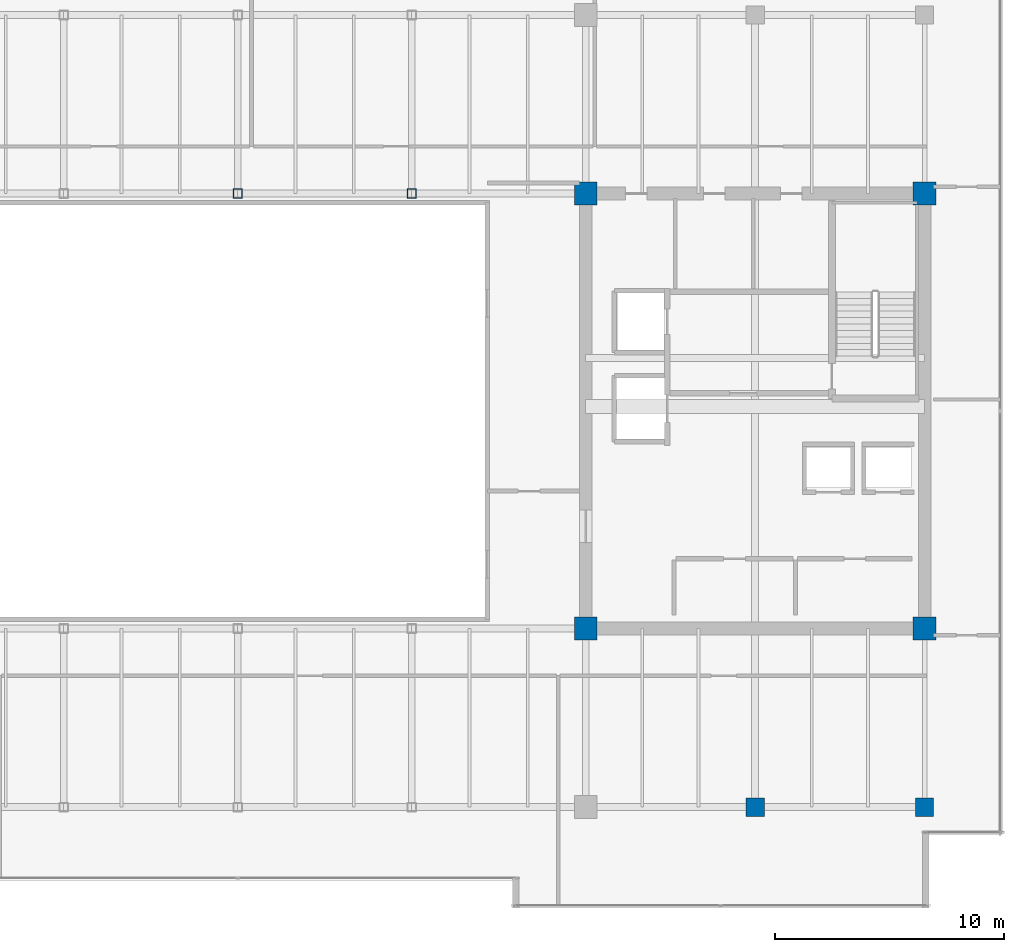
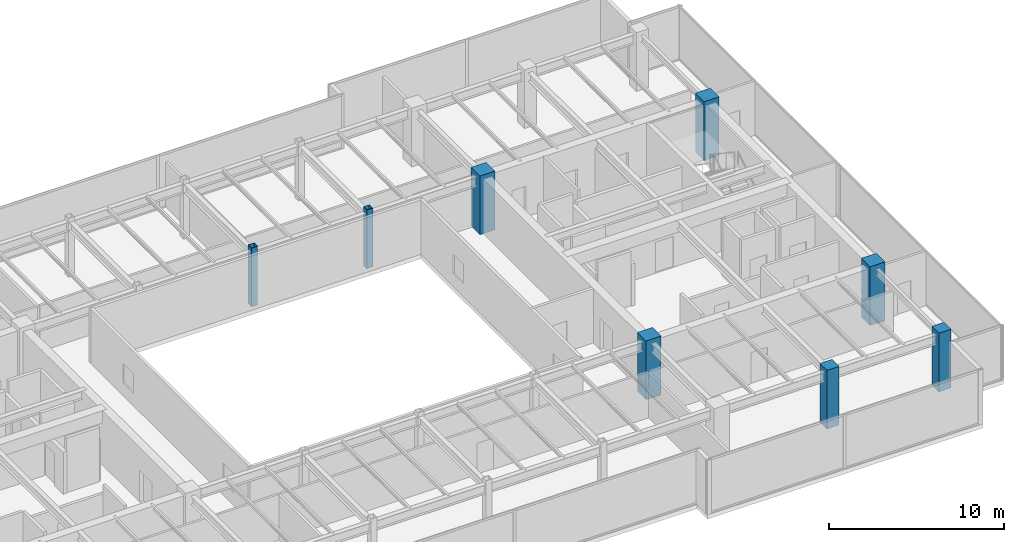
# One storey, part 2 of 33: 8 columns.
"""IFC4 building model written with IfcOpenShell, lengths in metres."""

import ifcopenshell
import ifcopenshell.guid

model = None  # the IFC model being written
_history = None  # IfcOwnerHistory: only IFC2X3 demands one
_inside = {}  # id of a spatial element -> (the spatial element, [elements in it])
_under = {}  # id of a project, library or spatial element -> (it, [spatial elements below it])
_declared = {}  # id of a project -> (the project, [libraries it declares])
_typed = {}  # id of a type object -> (the type object, [elements of that type])
_made_of = {}  # id of a material, layer set ... -> (it, [elements and type objects made of it])


def new_model(schema):
    """Start an empty IFC model of exactly this schema.

    Asked for "IFC4X3", IfcOpenShell would pick the latest addendum, in which some entities
    have other attributes; the version numbers below select the first issue.
    IFC2X3 requires an IfcOwnerHistory on every rooted entity: one is made here for all.
    """
    global model, _history
    if schema == "IFC4X3":
        model = ifcopenshell.file(schema_version=(4, 3, 0, 0))
    else:
        model = ifcopenshell.file(schema=schema)
    _inside.clear()
    _under.clear()
    _declared.clear()
    _typed.clear()
    _made_of.clear()
    _history = None
    if model.schema == "IFC2X3":
        org = make("IfcOrganization", Name="unknown")
        user = make(
            "IfcPersonAndOrganization",
            ThePerson=make("IfcPerson", FamilyName="unknown"),
            TheOrganization=org,
        )
        app = make(
            "IfcApplication",
            ApplicationDeveloper=org,
            Version="unknown",
            ApplicationFullName="unknown",
            ApplicationIdentifier="unknown",
        )
        _history = make(
            "IfcOwnerHistory",
            OwningUser=user,
            OwningApplication=app,
            ChangeAction="ADDED",
            CreationDate=0,
        )
    return model


def make(cls, **values):
    """One entity of the class cls with the attributes given. An attribute that is None is left unset."""
    return model.create_entity(
        cls, **{name: value for name, value in values.items() if value is not None}
    )


def rooted(cls, **values):
    """An entity with a GlobalId (a new one), such as an element, a storey or a relation."""
    return make(cls, GlobalId=ifcopenshell.guid.new(), OwnerHistory=_history, **values)


def si_unit(unit_type, name, prefix=None):
    """IfcSIUnit, for example si_unit("LENGTHUNIT", "METRE", prefix="MILLI")."""
    return make("IfcSIUnit", UnitType=unit_type, Prefix=prefix, Name=name)


def assignment(units):
    """IfcUnitAssignment: the units of a project."""
    return None if units is None else make("IfcUnitAssignment", Units=units)


def point(xyz):
    """IfcCartesianPoint."""
    return None if xyz is None else make("IfcCartesianPoint", Coordinates=xyz)


def direction(xyz):
    """IfcDirection."""
    return None if xyz is None else make("IfcDirection", DirectionRatios=xyz)


def frame(location, z_axis=None, x_axis=None):
    """IfcAxis2Placement3D, a coordinate frame: its origin and axes. An axis left out is left unset."""
    return make(
        "IfcAxis2Placement3D",
        Location=point(location),
        Axis=direction(z_axis),
        RefDirection=direction(x_axis),
    )


def frame_2d(location, x_axis=None):
    """IfcAxis2Placement2D, a coordinate frame in the plane: its origin and x axis."""
    return make(
        "IfcAxis2Placement2D", Location=point(location), RefDirection=direction(x_axis)
    )


def origin():
    """The frame at (0, 0, 0) with its axes left unset."""
    return frame((0.0, 0.0, 0.0))


def origin_2d():
    """The frame at (0, 0) in the plane with its x axis left unset."""
    return frame_2d((0.0, 0.0))


def place(relative_to, where):
    """IfcLocalPlacement: puts the frame where relative to a parent placement (None: the world)."""
    return make(
        "IfcLocalPlacement", PlacementRelTo=relative_to, RelativePlacement=where
    )


def context(
    kind, dimensions, precision=None, world=None, true_north=None, identifier=None
):
    """IfcGeometricRepresentationContext, for example the 3D "Model" context."""
    return make(
        "IfcGeometricRepresentationContext",
        ContextIdentifier=identifier,
        ContextType=kind,
        CoordinateSpaceDimension=dimensions,
        Precision=precision,
        WorldCoordinateSystem=world,
        TrueNorth=true_north,
    )


def subcontext(parent, identifier, kind, view, scale=None):
    """IfcGeometricRepresentationSubContext, for example "Body" below "Model"."""
    return make(
        "IfcGeometricRepresentationSubContext",
        ContextIdentifier=identifier,
        ContextType=kind,
        ParentContext=parent,
        TargetScale=scale,
        TargetView=view,
    )


def project(units=None, contexts=None):
    """IfcProject with its units and contexts."""
    return rooted(
        "IfcProject",
        Name="project",
        RepresentationContexts=contexts,
        UnitsInContext=assignment(units),
    )


def spatial(cls, under=None, at=None, **own):
    """A site, building, storey or space (cls), placed at a placement, below another one or the project."""
    s = rooted(cls, ObjectPlacement=at, **own)
    if under is not None:
        _under.setdefault(under.id(), (under, []))[1].append(s)
    return s


def profile(cls, at=None, kind="AREA", **sizes):
    """A parametric profile (cls). Its sizes go by their IFC names, for example OverallWidth=200.0."""
    return make(cls, ProfileType=kind, Position=at, **sizes)


def rectangle(**sizes):
    """IfcRectangleProfileDef."""
    return profile("IfcRectangleProfileDef", **sizes)


def hollow_rectangle(**sizes):
    """IfcRectangleHollowProfileDef."""
    return profile("IfcRectangleHollowProfileDef", **sizes)


def extrude(swept, where, along, depth):
    """IfcExtrudedAreaSolid: the profile swept, set in the frame where, extruded along a direction by depth."""
    return make(
        "IfcExtrudedAreaSolid",
        SweptArea=swept,
        Position=where,
        ExtrudedDirection=direction(along),
        Depth=depth,
    )


def shape(context_of_items, identifier, shape_type, items):
    """IfcShapeRepresentation: the items that make up one representation, for example the "Body"."""
    return make(
        "IfcShapeRepresentation",
        ContextOfItems=context_of_items,
        RepresentationIdentifier=identifier,
        RepresentationType=shape_type,
        Items=items,
    )


def source(mapping_origin, context_of_items, identifier, shape_type, items):
    """IfcRepresentationMap: a shape defined once, which mapped items show again and again."""
    return make(
        "IfcRepresentationMap",
        MappingOrigin=mapping_origin,
        MappedRepresentation=shape(context_of_items, identifier, shape_type, items),
    )


def transform(
    local_origin,
    x_axis=None,
    y_axis=None,
    z_axis=None,
    scale=None,
    scale2=None,
    scale3=None,
    uniform=True,
):
    """IfcCartesianTransformationOperator3D, or its non-uniform kind. x_axis, y_axis, z_axis: its Axis1, 2, 3."""
    if uniform:
        return make(
            "IfcCartesianTransformationOperator3D",
            Axis1=direction(x_axis),
            Axis2=direction(y_axis),
            LocalOrigin=point(local_origin),
            Scale=scale,
            Axis3=direction(z_axis),
        )
    return make(
        "IfcCartesianTransformationOperator3DnonUniform",
        Axis1=direction(x_axis),
        Axis2=direction(y_axis),
        LocalOrigin=point(local_origin),
        Scale=scale,
        Axis3=direction(z_axis),
        Scale2=scale2,
        Scale3=scale3,
    )


def mapped(mapping_source, mapping_target):
    """IfcMappedItem: shows the shape of a source again, moved by a transform."""
    return make(
        "IfcMappedItem", MappingSource=mapping_source, MappingTarget=mapping_target
    )


def material(Name=None, Category=None):
    """IfcMaterial."""
    return make("IfcMaterial", Name=Name, Category=Category)


def material_profile(
    of_material, cross_section, Name=None, Category=None, Priority=None
):
    """IfcMaterialProfile: a cross section and its material."""
    return make(
        "IfcMaterialProfile",
        Name=Name,
        Material=of_material,
        Profile=cross_section,
        Priority=Priority,
        Category=Category,
    )


def profile_set(profiles, Name=None, composite=None):
    """IfcMaterialProfileSet."""
    return make(
        "IfcMaterialProfileSet",
        Name=Name,
        MaterialProfiles=profiles,
        CompositeProfile=composite,
    )


def made_of(thing, what):
    """Note that an element or type object is made of a material, layer set ...; save() writes the relation."""
    if what is not None:
        _made_of.setdefault(what.id(), (what, []))[1].append(thing)
    return thing


def type_object(cls, material=None, **own):
    """A type object (cls), such as IfcWallType, which elements share."""
    return made_of(rooted(cls, **own), material)


def type_shapes(of_type, sources):
    """Give a type object the sources (RepresentationMaps) that its elements show as mapped items."""
    of_type.RepresentationMaps = sources


def element(
    cls,
    number,
    at=None,
    inside=None,
    cuts=None,
    type_object=None,
    material=None,
    context=None,
    identifier="Body",
    shape_type=None,
    held_by="IfcProductDefinitionShape",
    body=None,
    shapes=None,
    **own,
):
    """One element of the class cls, such as IfcWall. Its Tag is "e" and its number.

    at: its placement. inside: the storey or other place that contains it. cuts: it is an
    opening in that element (IfcRelVoidsElement). A single representation is given by context,
    identifier, shape_type and body (its items); several are given by shapes. held_by: the class
    of the entity that holds the representations. save() writes the other relations.
    """
    e = rooted(cls, Tag="e%d" % number, ObjectPlacement=at, **own)
    if body is not None:
        shapes = [shape(context, identifier, shape_type, body)]
    if shapes is not None:
        e.Representation = make(held_by, Representations=shapes)
    if inside is not None:
        _inside.setdefault(inside.id(), (inside, []))[1].append(e)
    if cuts is not None:
        rooted(
            "IfcRelVoidsElement", RelatingBuildingElement=cuts, RelatedOpeningElement=e
        )
    if type_object is not None:
        _typed.setdefault(type_object.id(), (type_object, []))[1].append(e)
    return made_of(e, material)


def aggregate(whole, parts):
    """IfcRelAggregates: a whole, such as a stair, and the parts it consists of."""
    return rooted("IfcRelAggregates", RelatingObject=whole, RelatedObjects=parts)


def save(model, path):
    """Write the relations noted so far, then the file.

    IfcRelAggregates (storeys below a building ...), IfcRelContainedInSpatialStructure (elements
    in a storey), IfcRelDefinesByType, IfcRelAssociatesMaterial and IfcRelDeclares: one each for
    every whole, place, type object, material and project.
    """
    for whole, parts in _under.values():
        aggregate(whole, parts)
    for where, things in _inside.values():
        rooted(
            "IfcRelContainedInSpatialStructure",
            RelatedElements=things,
            RelatingStructure=where,
        )
    for kind, things in _typed.values():
        rooted("IfcRelDefinesByType", RelatedObjects=things, RelatingType=kind)
    for what, things in _made_of.values():
        rooted("IfcRelAssociatesMaterial", RelatedObjects=things, RelatingMaterial=what)
    for by, libraries in _declared.values():
        rooted("IfcRelDeclares", RelatingContext=by, RelatedDefinitions=libraries)
    model.write(path)


model = new_model("IFC4")

# Units and contexts
model_context = context("Model", 3, precision=1e-05, world=origin(), true_north=direction((0.0, 1.0)))
body_context = subcontext(model_context, "Body", "Model", "MODEL_VIEW")
ifc_project = project(units=[si_unit("LENGTHUNIT", "METRE"), si_unit("AREAUNIT", "SQUARE_METRE"), si_unit("VOLUMEUNIT", "CUBIC_METRE"), si_unit("PLANEANGLEUNIT", "RADIAN"), si_unit("MASSUNIT", "GRAM", prefix="KILO")], contexts=[model_context])

# Site, building, storey
site_placement = place(None, origin())
site = spatial("IfcSite", under=ifc_project, at=site_placement, CompositionType="ELEMENT")
building_placement = place(site_placement, origin())
building = spatial("IfcBuilding", under=site, at=building_placement, Name="Haelvirn Gate Laboratories", CompositionType="ELEMENT")
storey_placement = place(building_placement, frame((0.0, 0.0, 271.10009765625)))
storey = spatial("IfcBuildingStorey", under=building, at=storey_placement, Name="L65", CompositionType="ELEMENT", Elevation=271.10009765625)

# Columns
ifc_material_1 = material(Name="Concrete C60/75", Category="concrete")
ifc_material_profile_1 = material_profile(ifc_material_1, rectangle(XDim=1.0, YDim=1.0, at=origin_2d()), Name="RC-1000x1000")
ifc_profile_set_1 = profile_set([ifc_material_profile_1], Name="Concrete C60/75")
column_type_1 = type_object("IfcColumnType", Name="COL-RC-1000", PredefinedType="COLUMN", material=ifc_profile_set_1)
shared_shape_1 = source(origin(), body_context, "Body", "SweptSolid", [
    extrude(rectangle(XDim=1.0, YDim=1.0, at=origin_2d()), origin(), (0.0, 0.0, 1.0), 4.099853515625),
])
type_shapes(column_type_1, [shared_shape_1])
for number, where, z_axis, x_axis, name in (
    (1, (52.60009765625, 14.800048828125, 0.0), (0.0, 0.0, 1.0), (1.0, 0.0, 0.0), "L65 Column 8C"),
    (2, (67.39990234375, 14.800048828125, 0.0), (0.0, 0.0, 1.0), (1.0, 0.0, 0.0), "L65 Column 10C"),
    (3, (52.60009765625, 33.800048828125, 0.0), (0.0, 0.0, 1.0), (1.0, 0.0, 0.0), "L65 Column 8F"),
    (4, (67.39990234375, 33.800048828125, 0.0), (0.0, 0.0, 1.0), (1.0, 0.0, 0.0), "L65 Column 10F"),
):
    element("IfcColumn", number, at=place(storey_placement, frame(where, z_axis=z_axis, x_axis=x_axis)), inside=storey, type_object=column_type_1, Name=name, PredefinedType="COLUMN", context=body_context, shape_type="MappedRepresentation", body=[
        mapped(shared_shape_1, transform((0.0, 0.0, 0.0), scale=1.0)),
    ])
ifc_material_2 = material(Name="Concrete C50/60", Category="concrete")
ifc_material_profile_2 = material_profile(ifc_material_2, rectangle(XDim=0.800048828125, YDim=0.800048828125, at=origin_2d()), Name="RC-800x800")
ifc_profile_set_2 = profile_set([ifc_material_profile_2], Name="Concrete C50/60")
column_type_2 = type_object("IfcColumnType", Name="COL-RC-800", PredefinedType="COLUMN", material=ifc_profile_set_2)
shared_shape_2 = source(origin(), body_context, "Body", "SweptSolid", [
    extrude(rectangle(XDim=0.800048828125, YDim=0.800048828125, at=origin_2d()), origin(), (0.0, 0.0, 1.0), 4.099853515625),
])
type_shapes(column_type_2, [shared_shape_2])
for number, where, z_axis, x_axis, name in (
    (5, (60.0, 7.0, 0.0), (0.0, 0.0, 1.0), (1.0, 0.0, 0.0), "L65 Column 9B"),
    (6, (67.39990234375, 7.0, 0.0), (0.0, 0.0, 1.0), (1.0, 0.0, 0.0), "L65 Column 10B"),
):
    element("IfcColumn", number, at=place(storey_placement, frame(where, z_axis=z_axis, x_axis=x_axis)), inside=storey, type_object=column_type_2, Name=name, PredefinedType="COLUMN", context=body_context, shape_type="MappedRepresentation", body=[
        mapped(shared_shape_2, transform((0.0, 0.0, 0.0), scale=1.0)),
    ])
ifc_material_3 = material(Name="Steel SM355", Category="steel")
ifc_material_profile_3 = material_profile(ifc_material_3, hollow_rectangle(XDim=0.39990234375, YDim=0.39990234375, WallThickness=0.01904296875, at=origin_2d()), Name="BOX-400x400x19")
ifc_profile_set_3 = profile_set([ifc_material_profile_3], Name="Steel SM355")
column_type_3 = type_object("IfcColumnType", Name="COL-BOX-400", PredefinedType="COLUMN", material=ifc_profile_set_3)
shared_shape_3 = source(origin(), body_context, "Body", "SweptSolid", [
    extrude(hollow_rectangle(XDim=0.39990234375, YDim=0.39990234375, WallThickness=0.01904296875, at=origin_2d()), origin(), (0.0, 0.0, 1.0), 4.099853515625),
])
type_shapes(column_type_3, [shared_shape_3])
for number, where, z_axis, x_axis, name in (
    (7, (37.39990234375, 33.800048828125, 0.0), (0.0, 0.0, 1.0), (1.0, 0.0, 0.0), "L65 Column 6F"),
    (8, (45.0, 33.800048828125, 0.0), (0.0, 0.0, 1.0), (1.0, 0.0, 0.0), "L65 Column 7F"),
):
    element("IfcColumn", number, at=place(storey_placement, frame(where, z_axis=z_axis, x_axis=x_axis)), inside=storey, type_object=column_type_3, Name=name, PredefinedType="COLUMN", context=body_context, shape_type="MappedRepresentation", body=[
        mapped(shared_shape_3, transform((0.0, 0.0, 0.0), scale=1.0)),
    ])

save(model, "model.ifc")
